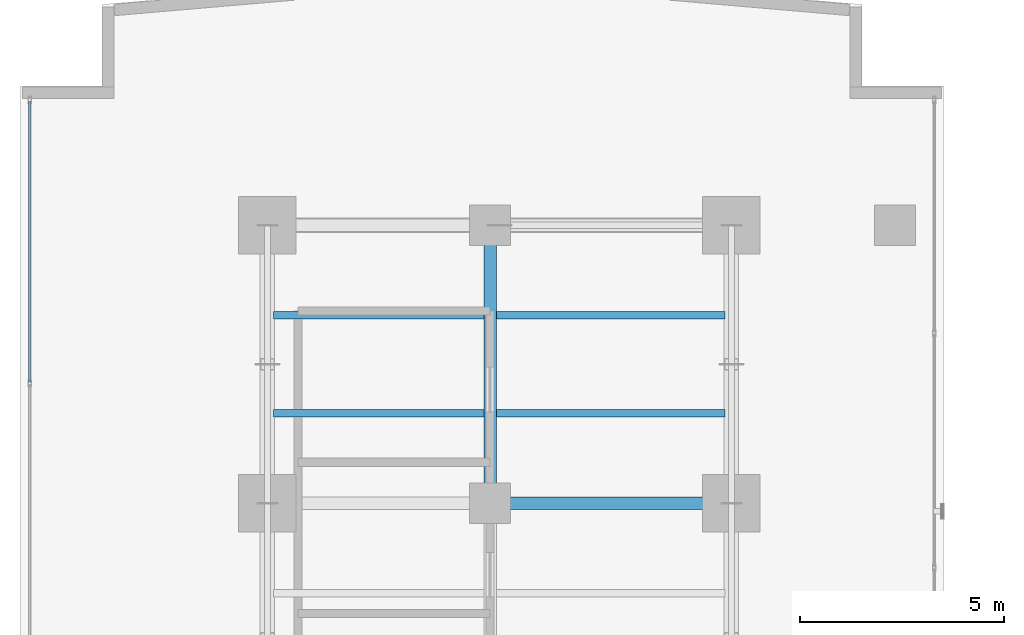
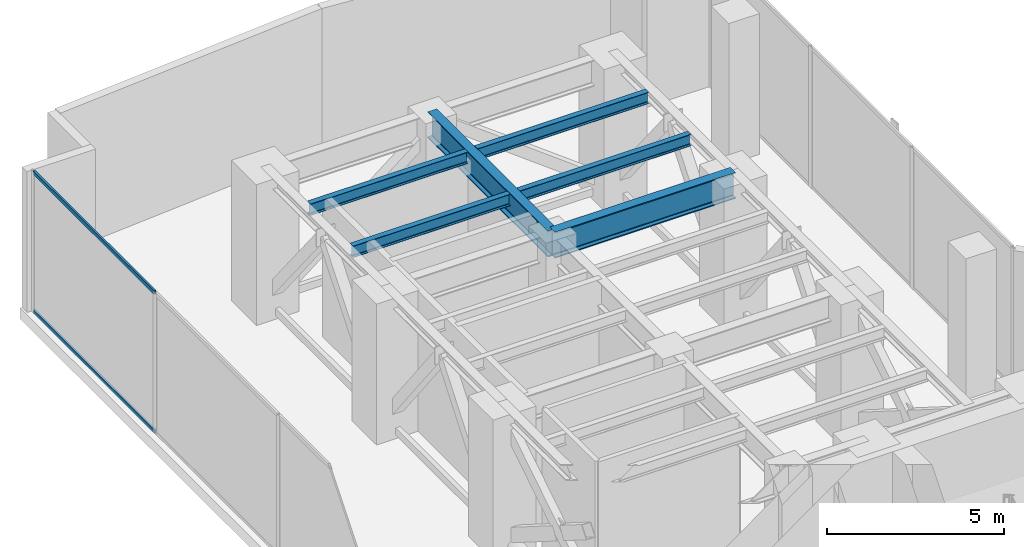
# One storey, part 21 of 37: 6 beams, 2 members, 1 element without a shape of its own.
"""IFC4 building model written with IfcOpenShell, lengths in metres."""

import ifcopenshell
import ifcopenshell.guid

model = None  # the IFC model being written
_history = None  # IfcOwnerHistory: only IFC2X3 demands one
_inside = {}  # id of a spatial element -> (the spatial element, [elements in it])
_under = {}  # id of a project, library or spatial element -> (it, [spatial elements below it])
_declared = {}  # id of a project -> (the project, [libraries it declares])
_typed = {}  # id of a type object -> (the type object, [elements of that type])
_made_of = {}  # id of a material, layer set ... -> (it, [elements and type objects made of it])


def new_model(schema):
    """Start an empty IFC model of exactly this schema.

    Asked for "IFC4X3", IfcOpenShell would pick the latest addendum, in which some entities
    have other attributes; the version numbers below select the first issue.
    IFC2X3 requires an IfcOwnerHistory on every rooted entity: one is made here for all.
    """
    global model, _history
    if schema == "IFC4X3":
        model = ifcopenshell.file(schema_version=(4, 3, 0, 0))
    else:
        model = ifcopenshell.file(schema=schema)
    _inside.clear()
    _under.clear()
    _declared.clear()
    _typed.clear()
    _made_of.clear()
    _history = None
    if model.schema == "IFC2X3":
        org = make("IfcOrganization", Name="unknown")
        user = make(
            "IfcPersonAndOrganization",
            ThePerson=make("IfcPerson", FamilyName="unknown"),
            TheOrganization=org,
        )
        app = make(
            "IfcApplication",
            ApplicationDeveloper=org,
            Version="unknown",
            ApplicationFullName="unknown",
            ApplicationIdentifier="unknown",
        )
        _history = make(
            "IfcOwnerHistory",
            OwningUser=user,
            OwningApplication=app,
            ChangeAction="ADDED",
            CreationDate=0,
        )
    return model


def make(cls, **values):
    """One entity of the class cls with the attributes given. An attribute that is None is left unset."""
    return model.create_entity(
        cls, **{name: value for name, value in values.items() if value is not None}
    )


def rooted(cls, **values):
    """An entity with a GlobalId (a new one), such as an element, a storey or a relation."""
    return make(cls, GlobalId=ifcopenshell.guid.new(), OwnerHistory=_history, **values)


def si_unit(unit_type, name, prefix=None):
    """IfcSIUnit, for example si_unit("LENGTHUNIT", "METRE", prefix="MILLI")."""
    return make("IfcSIUnit", UnitType=unit_type, Prefix=prefix, Name=name)


def assignment(units):
    """IfcUnitAssignment: the units of a project."""
    return None if units is None else make("IfcUnitAssignment", Units=units)


def point(xyz):
    """IfcCartesianPoint."""
    return None if xyz is None else make("IfcCartesianPoint", Coordinates=xyz)


def direction(xyz):
    """IfcDirection."""
    return None if xyz is None else make("IfcDirection", DirectionRatios=xyz)


def frame(location, z_axis=None, x_axis=None):
    """IfcAxis2Placement3D, a coordinate frame: its origin and axes. An axis left out is left unset."""
    return make(
        "IfcAxis2Placement3D",
        Location=point(location),
        Axis=direction(z_axis),
        RefDirection=direction(x_axis),
    )


def frame_2d(location, x_axis=None):
    """IfcAxis2Placement2D, a coordinate frame in the plane: its origin and x axis."""
    return make(
        "IfcAxis2Placement2D", Location=point(location), RefDirection=direction(x_axis)
    )


def origin():
    """The frame at (0, 0, 0) with its axes left unset."""
    return frame((0.0, 0.0, 0.0))


def origin_with_axes():
    """The frame at (0, 0, 0) with the z axis (0, 0, 1) and the x axis (1, 0, 0) written out."""
    return frame((0.0, 0.0, 0.0), z_axis=(0.0, 0.0, 1.0), x_axis=(1.0, 0.0, 0.0))


def origin_2d():
    """The frame at (0, 0) in the plane with its x axis left unset."""
    return frame_2d((0.0, 0.0))


def place(relative_to, where):
    """IfcLocalPlacement: puts the frame where relative to a parent placement (None: the world)."""
    return make(
        "IfcLocalPlacement", PlacementRelTo=relative_to, RelativePlacement=where
    )


def context(
    kind, dimensions, precision=None, world=None, true_north=None, identifier=None
):
    """IfcGeometricRepresentationContext, for example the 3D "Model" context."""
    return make(
        "IfcGeometricRepresentationContext",
        ContextIdentifier=identifier,
        ContextType=kind,
        CoordinateSpaceDimension=dimensions,
        Precision=precision,
        WorldCoordinateSystem=world,
        TrueNorth=true_north,
    )


def subcontext(parent, identifier, kind, view, scale=None):
    """IfcGeometricRepresentationSubContext, for example "Body" below "Model"."""
    return make(
        "IfcGeometricRepresentationSubContext",
        ContextIdentifier=identifier,
        ContextType=kind,
        ParentContext=parent,
        TargetScale=scale,
        TargetView=view,
    )


def project(units=None, contexts=None):
    """IfcProject with its units and contexts."""
    return rooted(
        "IfcProject",
        Name="project",
        RepresentationContexts=contexts,
        UnitsInContext=assignment(units),
    )


def spatial(cls, under=None, at=None, **own):
    """A site, building, storey or space (cls), placed at a placement, below another one or the project."""
    s = rooted(cls, ObjectPlacement=at, **own)
    if under is not None:
        _under.setdefault(under.id(), (under, []))[1].append(s)
    return s


def profile(cls, at=None, kind="AREA", **sizes):
    """A parametric profile (cls). Its sizes go by their IFC names, for example OverallWidth=200.0."""
    return make(cls, ProfileType=kind, Position=at, **sizes)


def hollow_rectangle(**sizes):
    """IfcRectangleHollowProfileDef."""
    return profile("IfcRectangleHollowProfileDef", **sizes)


def i_section(**sizes):
    """IfcIShapeProfileDef."""
    return profile("IfcIShapeProfileDef", **sizes)


def extrude(swept, where, along, depth):
    """IfcExtrudedAreaSolid: the profile swept, set in the frame where, extruded along a direction by depth."""
    return make(
        "IfcExtrudedAreaSolid",
        SweptArea=swept,
        Position=where,
        ExtrudedDirection=direction(along),
        Depth=depth,
    )


def shape(context_of_items, identifier, shape_type, items):
    """IfcShapeRepresentation: the items that make up one representation, for example the "Body"."""
    return make(
        "IfcShapeRepresentation",
        ContextOfItems=context_of_items,
        RepresentationIdentifier=identifier,
        RepresentationType=shape_type,
        Items=items,
    )


def source(mapping_origin, context_of_items, identifier, shape_type, items):
    """IfcRepresentationMap: a shape defined once, which mapped items show again and again."""
    return make(
        "IfcRepresentationMap",
        MappingOrigin=mapping_origin,
        MappedRepresentation=shape(context_of_items, identifier, shape_type, items),
    )


def transform(
    local_origin,
    x_axis=None,
    y_axis=None,
    z_axis=None,
    scale=None,
    scale2=None,
    scale3=None,
    uniform=True,
):
    """IfcCartesianTransformationOperator3D, or its non-uniform kind. x_axis, y_axis, z_axis: its Axis1, 2, 3."""
    if uniform:
        return make(
            "IfcCartesianTransformationOperator3D",
            Axis1=direction(x_axis),
            Axis2=direction(y_axis),
            LocalOrigin=point(local_origin),
            Scale=scale,
            Axis3=direction(z_axis),
        )
    return make(
        "IfcCartesianTransformationOperator3DnonUniform",
        Axis1=direction(x_axis),
        Axis2=direction(y_axis),
        LocalOrigin=point(local_origin),
        Scale=scale,
        Axis3=direction(z_axis),
        Scale2=scale2,
        Scale3=scale3,
    )


def mapped(mapping_source, mapping_target):
    """IfcMappedItem: shows the shape of a source again, moved by a transform."""
    return make(
        "IfcMappedItem", MappingSource=mapping_source, MappingTarget=mapping_target
    )


def material(Name=None, Category=None):
    """IfcMaterial."""
    return make("IfcMaterial", Name=Name, Category=Category)


def layer(
    of_material, thickness, ventilated=None, Name=None, Category=None, Priority=None
):
    """IfcMaterialLayer: one layer of a wall or slab, of a material (None: an air gap)."""
    return make(
        "IfcMaterialLayer",
        Material=of_material,
        LayerThickness=thickness,
        IsVentilated=ventilated,
        Name=Name,
        Category=Category,
        Priority=Priority,
    )


def layer_set(layers, Name=None):
    """IfcMaterialLayerSet."""
    return make("IfcMaterialLayerSet", MaterialLayers=layers, LayerSetName=Name)


def material_profile(
    of_material, cross_section, Name=None, Category=None, Priority=None
):
    """IfcMaterialProfile: a cross section and its material."""
    return make(
        "IfcMaterialProfile",
        Name=Name,
        Material=of_material,
        Profile=cross_section,
        Priority=Priority,
        Category=Category,
    )


def profile_set(profiles, Name=None, composite=None):
    """IfcMaterialProfileSet."""
    return make(
        "IfcMaterialProfileSet",
        Name=Name,
        MaterialProfiles=profiles,
        CompositeProfile=composite,
    )


def made_of(thing, what):
    """Note that an element or type object is made of a material, layer set ...; save() writes the relation."""
    if what is not None:
        _made_of.setdefault(what.id(), (what, []))[1].append(thing)
    return thing


def type_object(cls, material=None, **own):
    """A type object (cls), such as IfcWallType, which elements share."""
    return made_of(rooted(cls, **own), material)


def element(
    cls,
    number,
    at=None,
    inside=None,
    cuts=None,
    type_object=None,
    material=None,
    context=None,
    identifier="Body",
    shape_type=None,
    held_by="IfcProductDefinitionShape",
    body=None,
    shapes=None,
    **own,
):
    """One element of the class cls, such as IfcWall. Its Tag is "e" and its number.

    at: its placement. inside: the storey or other place that contains it. cuts: it is an
    opening in that element (IfcRelVoidsElement). A single representation is given by context,
    identifier, shape_type and body (its items); several are given by shapes. held_by: the class
    of the entity that holds the representations. save() writes the other relations.
    """
    e = rooted(cls, Tag="e%d" % number, ObjectPlacement=at, **own)
    if body is not None:
        shapes = [shape(context, identifier, shape_type, body)]
    if shapes is not None:
        e.Representation = make(held_by, Representations=shapes)
    if inside is not None:
        _inside.setdefault(inside.id(), (inside, []))[1].append(e)
    if cuts is not None:
        rooted(
            "IfcRelVoidsElement", RelatingBuildingElement=cuts, RelatedOpeningElement=e
        )
    if type_object is not None:
        _typed.setdefault(type_object.id(), (type_object, []))[1].append(e)
    return made_of(e, material)


def aggregate(whole, parts):
    """IfcRelAggregates: a whole, such as a stair, and the parts it consists of."""
    return rooted("IfcRelAggregates", RelatingObject=whole, RelatedObjects=parts)


def save(model, path):
    """Write the relations noted so far, then the file.

    IfcRelAggregates (storeys below a building ...), IfcRelContainedInSpatialStructure (elements
    in a storey), IfcRelDefinesByType, IfcRelAssociatesMaterial and IfcRelDeclares: one each for
    every whole, place, type object, material and project.
    """
    for whole, parts in _under.values():
        aggregate(whole, parts)
    for where, things in _inside.values():
        rooted(
            "IfcRelContainedInSpatialStructure",
            RelatedElements=things,
            RelatingStructure=where,
        )
    for kind, things in _typed.values():
        rooted("IfcRelDefinesByType", RelatedObjects=things, RelatingType=kind)
    for what, things in _made_of.values():
        rooted("IfcRelAssociatesMaterial", RelatedObjects=things, RelatingMaterial=what)
    for by, libraries in _declared.values():
        rooted("IfcRelDeclares", RelatingContext=by, RelatedDefinitions=libraries)
    model.write(path)


model = new_model("IFC4")

# Units and contexts
model_context = context("Model", 3, precision=1e-05, world=origin(), true_north=direction((0.0, 1.0)))
body_context = subcontext(model_context, "Body", "Model", "MODEL_VIEW")
ifc_project = project(units=[si_unit("LENGTHUNIT", "METRE"), si_unit("AREAUNIT", "SQUARE_METRE"), si_unit("VOLUMEUNIT", "CUBIC_METRE"), si_unit("PLANEANGLEUNIT", "RADIAN"), si_unit("MASSUNIT", "GRAM", prefix="KILO")], contexts=[model_context])

# Site, building, storey
site_placement = place(None, origin())
site = spatial("IfcSite", under=ifc_project, at=site_placement, CompositionType="ELEMENT")
building_placement = place(site_placement, origin())
building = spatial("IfcBuilding", under=site, at=building_placement, Name="Kolvaren Waterfront Exchange", CompositionType="ELEMENT")
storey_placement = place(building_placement, frame((0.0, 0.0, 141.10009765625)))
storey = spatial("IfcBuildingStorey", under=building, at=storey_placement, Name="L36", CompositionType="ELEMENT", Elevation=141.10009765625)

# Beams
ifc_material_1 = material(Name="Steel S355", Category="steel")
ifc_material_profile_1 = material_profile(ifc_material_1, i_section(OverallWidth=0.300048828125, OverallDepth=0.89990234375, WebThickness=0.0185546875, FlangeThickness=0.034912109375, FilletRadius=0.030029296875, at=origin_2d()), Name="HEB900")
ifc_profile_set_1 = profile_set([ifc_material_profile_1], Name="Steel S355")
beam_type_1 = type_object("IfcBeamType", Name="STR-BM-HEB900", PredefinedType="BEAM", material=ifc_profile_set_1)
beam_1_placement = place(storey_placement, frame((12.89990234375, 37.800048828125, 4.409912109375), z_axis=(1.0, 0.0, 0.0), x_axis=(0.0, 1.0, 0.0)))
element("IfcBeam", 1, at=beam_1_placement, inside=storey, type_object=beam_type_1, Name="L36 north-arm girder 3B", PredefinedType="BEAM", context=body_context, shape_type="SweptSolid", body=[
    extrude(i_section(OverallWidth=0.300048828125, OverallDepth=0.89990234375, WebThickness=0.0185546875, FlangeThickness=0.034912109375, FilletRadius=0.030029296875, at=origin_2d()), origin(), (0.0, 0.0, 1.0), 5.900146484375),
])
beam_2_placement = place(storey_placement, frame((12.89990234375, 37.800048828125, 4.409912109375), z_axis=(0.0, 1.0, 0.0), x_axis=(-1.0, 0.0, 0.0)))
element("IfcBeam", 2, at=beam_2_placement, inside=storey, type_object=beam_type_1, Name="L36 north-arm edge beam 3", PredefinedType="BEAM", context=body_context, shape_type="SweptSolid", body=[
    extrude(i_section(OverallWidth=0.300048828125, OverallDepth=0.89990234375, WebThickness=0.0185546875, FlangeThickness=0.034912109375, FilletRadius=0.030029296875, at=origin_2d()), origin(), (0.0, 0.0, 1.0), 6.800048828125),
])
ifc_material_profile_2 = material_profile(ifc_material_1, i_section(OverallWidth=0.179931640625, OverallDepth=0.39990234375, WebThickness=0.008544921875, FlangeThickness=0.013427734375, FilletRadius=0.02099609375, at=origin_2d()), Name="IPE400")
ifc_profile_set_2 = profile_set([ifc_material_profile_2], Name="Steel S355")
beam_type_2 = type_object("IfcBeamType", Name="STR-BM-IPE400", PredefinedType="JOIST", material=ifc_profile_set_2)
beam_3_placement = place(storey_placement, frame((7.60205078125, 40.0, 4.659912109375), z_axis=(1.0, 0.0, 0.0), x_axis=(0.0, 1.0, 0.0)))
element("IfcBeam", 3, at=beam_3_placement, inside=storey, type_object=beam_type_2, Name="L36 north-arm composite joist 5A", PredefinedType="JOIST", context=body_context, shape_type="SweptSolid", body=[
    extrude(i_section(OverallWidth=0.179931640625, OverallDepth=0.39990234375, WebThickness=0.008544921875, FlangeThickness=0.013427734375, FilletRadius=0.02099609375, at=origin_2d()), origin(), (0.0, 0.0, 1.0), 5.14599609375),
])
beam_4_placement = place(storey_placement, frame((13.052001953125, 40.0, 4.659912109375), z_axis=(1.0, 0.0, 0.0), x_axis=(0.0, 1.0, 0.0)))
element("IfcBeam", 4, at=beam_4_placement, inside=storey, type_object=beam_type_2, Name="L36 north-arm composite joist 5B", PredefinedType="JOIST", context=body_context, shape_type="SweptSolid", body=[
    extrude(i_section(OverallWidth=0.179931640625, OverallDepth=0.39990234375, WebThickness=0.008544921875, FlangeThickness=0.013427734375, FilletRadius=0.02099609375, at=origin_2d()), origin(), (0.0, 0.0, 1.0), 5.595947265625),
])
beam_5_placement = place(storey_placement, frame((7.60205078125, 42.39990234375, 4.659912109375), z_axis=(1.0, 0.0, 0.0), x_axis=(0.0, 1.0, 0.0)))
element("IfcBeam", 5, at=beam_5_placement, inside=storey, type_object=beam_type_2, Name="L36 north-arm composite joist 6A", PredefinedType="JOIST", context=body_context, shape_type="SweptSolid", body=[
    extrude(i_section(OverallWidth=0.179931640625, OverallDepth=0.39990234375, WebThickness=0.008544921875, FlangeThickness=0.013427734375, FilletRadius=0.02099609375, at=origin_2d()), origin(), (0.0, 0.0, 1.0), 5.14599609375),
])
beam_6_placement = place(storey_placement, frame((13.052001953125, 42.39990234375, 4.659912109375), z_axis=(1.0, 0.0, 0.0), x_axis=(0.0, 1.0, 0.0)))
element("IfcBeam", 6, at=beam_6_placement, inside=storey, type_object=beam_type_2, Name="L36 north-arm composite joist 6B", PredefinedType="JOIST", context=body_context, shape_type="SweptSolid", body=[
    extrude(i_section(OverallWidth=0.179931640625, OverallDepth=0.39990234375, WebThickness=0.008544921875, FlangeThickness=0.013427734375, FilletRadius=0.02099609375, at=origin_2d()), origin(), (0.0, 0.0, 1.0), 5.595947265625),
])

# Curtain wall, members
ifc_material_2 = material(Name="Anodised dark bronze spandrel aluminium", Category="aluminium")
ifc_layer = layer(ifc_material_2, 0.219970703125, Name="Anodised dark bronze spandrel aluminium")
ifc_layer_set = layer_set([ifc_layer], Name="Anodised dark bronze spandrel aluminium")
curtain_wall_type = type_object("IfcCurtainWallType", Name="ARC-CW-SYS6", PredefinedType="USERDEFINED", material=ifc_layer_set)
curtain_wall_placement = place(storey_placement, origin())
curtain_wall = element("IfcCurtainWall", 7, at=curtain_wall_placement, inside=storey, type_object=curtain_wall_type, Name="L36 stick curtain wall CW6 (CW-L36-W)", ObjectType="STICK CURTAIN WALL", PredefinedType="USERDEFINED")
ifc_material_3 = material(Name="Anodised bronze aluminium 6063-T6", Category="aluminium")
ifc_material_profile_3 = material_profile(ifc_material_3, hollow_rectangle(XDim=0.06494140625, YDim=0.1298828125, WallThickness=0.00390625, at=origin_2d()), Name="ALU-TRN-130x65x4")
ifc_profile_set_3 = profile_set([ifc_material_profile_3], Name="Anodised bronze aluminium 6063-T6")
member_type = type_object("IfcMemberType", Name="ARC-CWT-130", PredefinedType="USERDEFINED", material=ifc_profile_set_3)
shared_shape = source(origin_with_axes(), body_context, "Body", "SweptSolid", [
    extrude(hollow_rectangle(XDim=0.06494140625, YDim=0.1298828125, WallThickness=0.00390625, at=origin_2d()), origin(), (0.0, 0.0, 1.0), 6.854248046875),
])
member_1_placement = place(storey_placement, frame((1.639892578125, 40.770751953125, 0.032470703125), z_axis=(0.0, 1.0, 0.0), x_axis=(-1.0, 0.0, 0.0)))
member_1 = element("IfcMember", 8, at=member_1_placement, type_object=member_type, Name="CW6 transom 6.1", ObjectType="TRANSOM", PredefinedType="USERDEFINED", context=body_context, shape_type="MappedRepresentation", body=[
    mapped(shared_shape, transform((0.0, 0.0, 0.0), x_axis=(1.0, 0.0, 0.0), y_axis=(0.0, 1.0, 0.0), z_axis=(0.0, 0.0, 1.0), scale=1.0)),
])
member_2_placement = place(storey_placement, frame((1.639892578125, 40.770751953125, 4.827392578125), z_axis=(0.0, 1.0, 0.0), x_axis=(-1.0, 0.0, 0.0)))
member_2 = element("IfcMember", 9, at=member_2_placement, type_object=member_type, Name="CW6 transom 6.2", ObjectType="TRANSOM", PredefinedType="USERDEFINED", context=body_context, shape_type="MappedRepresentation", body=[
    mapped(shared_shape, transform((0.0, 0.0, 0.0), x_axis=(1.0, 0.0, 0.0), y_axis=(0.0, 1.0, 0.0), z_axis=(0.0, 0.0, 1.0), scale=1.0)),
])
aggregate(curtain_wall, [member_1, member_2])

save(model, "model.ifc")
